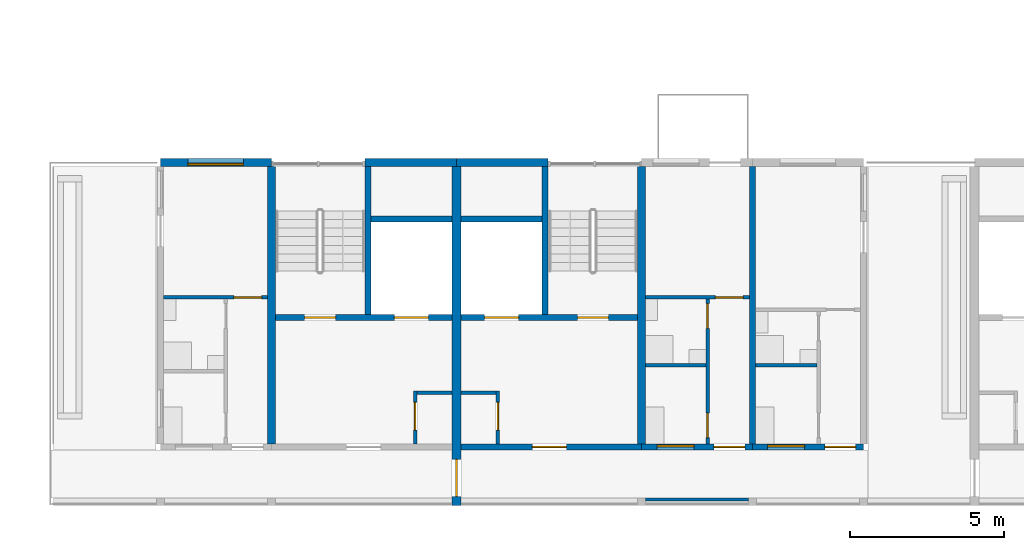
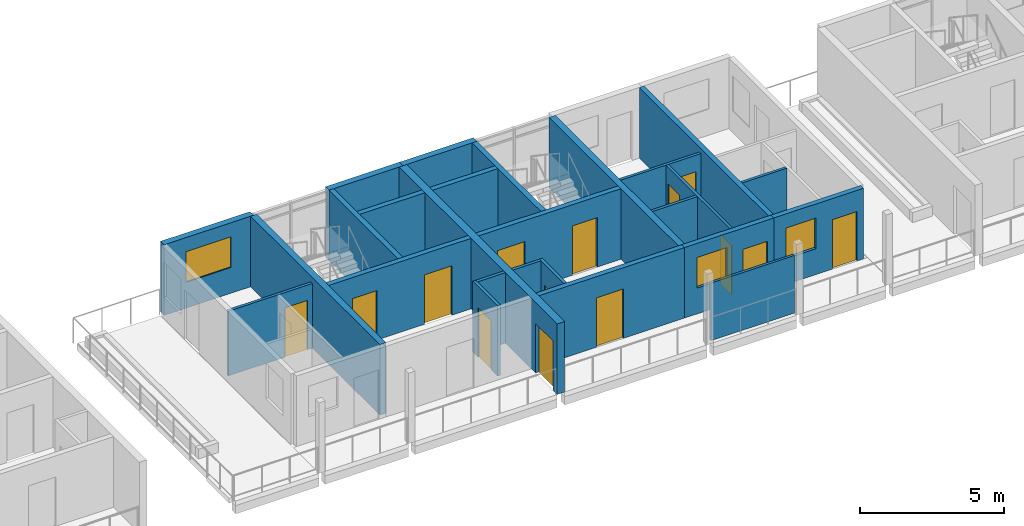
# One storey, part 34 of 55: 26 walls, 14 doors, 3 windows, 17 openings.
"""IFC4 building model written with IfcOpenShell, lengths in metres."""

from ifc_helpers import new_model, si_unit, direction, frame, frame_2d, origin, place, context, subcontext, project, spatial, rectangle, extrude, material, layer, layer_set, type_object, element, fill, save


model = new_model("IFC4")

# Units and contexts
model_context = context("Model", 3, precision=1e-05, world=origin(), true_north=direction((0.0, 1.0)))
body_context = subcontext(model_context, "Body", "Model", "MODEL_VIEW")
ifc_project = project(units=[si_unit("LENGTHUNIT", "METRE"), si_unit("AREAUNIT", "SQUARE_METRE"), si_unit("VOLUMEUNIT", "CUBIC_METRE"), si_unit("PLANEANGLEUNIT", "RADIAN"), si_unit("MASSUNIT", "GRAM", prefix="KILO")], contexts=[model_context])

# Site, building, storey
site_placement = place(None, origin())
site = spatial("IfcSite", under=ifc_project, at=site_placement, CompositionType="ELEMENT")
building_placement = place(site_placement, origin())
building = spatial("IfcBuilding", under=site, at=building_placement, Name="Ridgestep Commons", CompositionType="ELEMENT")
storey_placement = place(building_placement, frame((0.0, 0.0, 36.0)))
storey = spatial("IfcBuildingStorey", under=building, at=storey_placement, Name="L12", CompositionType="ELEMENT", Elevation=36.0)

# Walls
ifc_material_1 = material(Name="Concrete C30/37", Category="concrete")
ifc_layer_1 = layer(ifc_material_1, 0.25)
ifc_layer_set_1 = layer_set([ifc_layer_1], Name="Core cross wall 250")
wall_type_1 = type_object("IfcWallType", Name="Core cross wall 250", PredefinedType="SHEAR", material=ifc_layer_set_1)
for number, where, z_axis, x_axis, name in (
    (1, (208.0, 13.75, 0.0), (0.0, 0.0, 1.0), (0.0, 1.0, 0.0), "Cross wall D-12-2080"),
    (2, (220.0, 13.75, 0.0), (0.0, 0.0, 1.0), (0.0, 1.0, 0.0), "Cross wall D-12-2200"),
):
    element("IfcWall", number, at=place(storey_placement, frame(where, z_axis=z_axis, x_axis=x_axis)), inside=storey, type_object=wall_type_1, Name=name, PredefinedType="SHEAR", context=body_context, shape_type="SweptSolid", body=[
        extrude(rectangle(XDim=9.0, YDim=0.25, at=frame_2d((4.5, 0.0))), origin(), (0.0, 0.0, 1.0), 3.0),
    ])

# Wall, opening, door
ifc_material_2 = material(Name="Concrete C30/37", Category="concrete")
ifc_layer_2 = layer(ifc_material_2, 0.199951171875)
ifc_layer_set_2 = layer_set([ifc_layer_2], Name="Core south wall 200")
wall_type_2 = type_object("IfcWallType", Name="Core south wall 200", PredefinedType="SHEAR", material=ifc_layer_set_2)
wall_1_placement = place(storey_placement, frame((214.14990234375, 13.64990234375, 0.0), z_axis=(0.0, 0.0, 1.0), x_axis=(1.0, 0.0, 0.0)))
wall_1 = element("IfcWall", 3, at=wall_1_placement, inside=storey, type_object=wall_type_2, Name="Core south wall D5C L12", PredefinedType="SHEAR", context=body_context, shape_type="SweptSolid", body=[
    extrude(rectangle(XDim=5.85009765625, YDim=0.199951171875, at=frame_2d((2.925048828125, 0.0))), origin(), (0.0, 0.0, 1.0), 3.0),
])
opening_1_placement = place(wall_1_placement, frame((2.3125, 0.0, 0.0)))
opening_1 = element("IfcOpeningElement", 4, at=opening_1_placement, cuts=wall_1, Name="Opening D5C/12/1", PredefinedType="OPENING", context=body_context, shape_type="SweptSolid", body=[
    extrude(rectangle(XDim=1.10009765625, YDim=2.10009765625, at=frame_2d((0.550048828125, 1.050048828125))), frame((0.0, 0.10986328125, 0.0), z_axis=(0.0, -1.0, 0.0), x_axis=(1.0, 0.0, 0.0)), (0.0, 0.0, 1.0), 0.219970703125),
])
ifc_material_3 = material(Name="Steel fire door", Category="steel")
door_type_1 = type_object("IfcDoorType", Name="Lobby door 1100 x 2100 FD60", OperationType="NOTDEFINED", PredefinedType="DOOR", material=ifc_material_3)
door_1_placement = place(opening_1_placement, origin())
door_1 = element("IfcDoor", 5, at=door_1_placement, inside=storey, type_object=door_type_1, Name="Lobby door D5C/12/1", OperationType="SINGLE_SWING_LEFT", OverallHeight=2.10009765625, OverallWidth=1.10009765625, PredefinedType="DOOR", context=body_context, shape_type="SweptSolid", body=[
    extrude(rectangle(XDim=1.10009765625, YDim=2.10009765625, at=frame_2d((0.550048828125, 1.050048828125))), frame((0.0, 0.02490234375, 0.0), z_axis=(0.0, -1.0, 0.0), x_axis=(1.0, 0.0, 0.0)), (0.0, 0.0, 1.0), 0.050048828125),
])
fill(opening_1, door_1)

ifc_material_4 = material(Name="Concrete C30/37", Category="concrete")
ifc_layer_3 = layer(ifc_material_4, 0.1201171875)
ifc_layer_set_3 = layer_set([ifc_layer_3], Name="Core wall 120")
wall_type_3 = type_object("IfcWallType", Name="Core wall 120", PredefinedType="SHEAR", material=ifc_layer_set_3)
wall_2_placement = place(storey_placement, frame((212.659912109375, 13.75, 0.0), z_axis=(0.0, 0.0, 1.0), x_axis=(0.0, 1.0, 0.0)))
wall_2 = element("IfcWall", 6, at=wall_2_placement, inside=storey, type_object=wall_type_3, Name="Core riser w wall D4C L12", PredefinedType="SHEAR", context=body_context, shape_type="SweptSolid", body=[
    extrude(rectangle(XDim=1.719970703125, YDim=0.1201171875, at=frame_2d((0.85986328125, 0.0))), origin(), (0.0, 0.0, 1.0), 3.0),
])
opening_2_placement = place(wall_2_placement, frame((0.449951171875, 0.0, 0.0)))
opening_2 = element("IfcOpeningElement", 7, at=opening_2_placement, cuts=wall_2, Name="Opening D4C/12/4", PredefinedType="OPENING", context=body_context, shape_type="SweptSolid", body=[
    extrude(rectangle(XDim=0.89990234375, YDim=2.10009765625, at=frame_2d((0.449951171875, 1.050048828125))), frame((0.0, 0.070068359375, 0.0), z_axis=(0.0, -1.0, 0.0), x_axis=(1.0, 0.0, 0.0)), (0.0, 0.0, 1.0), 0.14013671875),
])
ifc_material_5 = material(Name="Steel fire door", Category="steel")
door_type_2 = type_object("IfcDoorType", Name="Riser door 900 x 2100 FD60", OperationType="NOTDEFINED", PredefinedType="DOOR", material=ifc_material_5)
door_2_placement = place(opening_2_placement, origin())
door_2 = element("IfcDoor", 8, at=door_2_placement, inside=storey, type_object=door_type_2, Name="Riser door D4C/12/4", OperationType="SINGLE_SWING_LEFT", OverallHeight=2.10009765625, OverallWidth=0.89990234375, PredefinedType="DOOR", context=body_context, shape_type="SweptSolid", body=[
    extrude(rectangle(XDim=0.89990234375, YDim=2.10009765625, at=frame_2d((0.449951171875, 1.050048828125))), frame((0.0, 0.02490234375, 0.0), z_axis=(0.0, -1.0, 0.0), x_axis=(1.0, 0.0, 0.0)), (0.0, 0.0, 1.0), 0.050048828125),
])
fill(opening_2, door_2)

# Wall
wall_3_placement = place(storey_placement, frame((212.719970703125, 15.409912109375, 0.0), z_axis=(0.0, 0.0, 1.0), x_axis=(1.0, 0.0, 0.0)))
element("IfcWall", 9, at=wall_3_placement, inside=storey, type_object=wall_type_3, Name="Core riser n wall D4C L12", PredefinedType="SHEAR", context=body_context, shape_type="SweptSolid", body=[
    extrude(rectangle(XDim=1.130126953125, YDim=0.1201171875, at=frame_2d((0.56494140625, 0.0))), origin(), (0.0, 0.0, 1.0), 3.0),
])

# Wall, opening, door
wall_4_placement = place(storey_placement, frame((215.340087890625, 13.75, 0.0), z_axis=(0.0, 0.0, 1.0), x_axis=(0.0, 1.0, 0.0)))
wall_4 = element("IfcWall", 10, at=wall_4_placement, inside=storey, type_object=wall_type_3, Name="Core riser w wall D5C L12", PredefinedType="SHEAR", context=body_context, shape_type="SweptSolid", body=[
    extrude(rectangle(XDim=1.719970703125, YDim=0.1201171875, at=frame_2d((0.85986328125, 0.0))), origin(), (0.0, 0.0, 1.0), 3.0),
])
opening_3_placement = place(wall_4_placement, frame((0.449951171875, 0.0, 0.0)))
opening_3 = element("IfcOpeningElement", 11, at=opening_3_placement, cuts=wall_4, Name="Opening D5C/12/4", PredefinedType="OPENING", context=body_context, shape_type="SweptSolid", body=[
    extrude(rectangle(XDim=0.89990234375, YDim=2.10009765625, at=frame_2d((0.449951171875, 1.050048828125))), frame((0.0, 0.070068359375, 0.0), z_axis=(0.0, -1.0, 0.0), x_axis=(1.0, 0.0, 0.0)), (0.0, 0.0, 1.0), 0.14013671875),
])
door_3_placement = place(opening_3_placement, origin())
door_3 = element("IfcDoor", 12, at=door_3_placement, inside=storey, type_object=door_type_2, Name="Riser door D5C/12/4", OperationType="SINGLE_SWING_RIGHT", OverallHeight=2.10009765625, OverallWidth=0.89990234375, PredefinedType="DOOR", context=body_context, shape_type="SweptSolid", body=[
    extrude(rectangle(XDim=0.89990234375, YDim=2.10009765625, at=frame_2d((0.449951171875, 1.050048828125))), frame((0.0, 0.02490234375, 0.0), z_axis=(0.0, -1.0, 0.0), x_axis=(1.0, 0.0, 0.0)), (0.0, 0.0, 1.0), 0.050048828125),
])
fill(opening_3, door_3)

# Wall
wall_5_placement = place(storey_placement, frame((214.14990234375, 15.409912109375, 0.0), z_axis=(0.0, 0.0, 1.0), x_axis=(1.0, 0.0, 0.0)))
element("IfcWall", 13, at=wall_5_placement, inside=storey, type_object=wall_type_3, Name="Core riser n wall D5C L12", PredefinedType="SHEAR", context=body_context, shape_type="SweptSolid", body=[
    extrude(rectangle(XDim=1.130126953125, YDim=0.1201171875, at=frame_2d((0.56494140625, 0.0))), origin(), (0.0, 0.0, 1.0), 3.0),
])

# Wall, openings, doors
ifc_material_6 = material(Name="Concrete C30/37", Category="concrete")
ifc_layer_4 = layer(ifc_material_6, 0.199951171875)
ifc_layer_set_4 = layer_set([ifc_layer_4], Name="Core wall 200")
wall_type_4 = type_object("IfcWallType", Name="Core wall 200", PredefinedType="SHEAR", material=ifc_layer_set_4)
wall_6_placement = place(storey_placement, frame((208.125, 17.85009765625, 0.0), z_axis=(0.0, 0.0, 1.0), x_axis=(1.0, 0.0, 0.0)))
wall_6 = element("IfcWall", 14, at=wall_6_placement, inside=storey, type_object=wall_type_4, Name="Core lobby wall D4C L12", PredefinedType="SHEAR", context=body_context, shape_type="SweptSolid", body=[
    extrude(rectangle(XDim=5.72509765625, YDim=0.199951171875, at=frame_2d((2.862548828125, 0.0))), origin(), (0.0, 0.0, 1.0), 3.0),
])
opening_4_placement = place(wall_6_placement, frame((0.949951171875, 0.0, 0.0)))
opening_4 = element("IfcOpeningElement", 15, at=opening_4_placement, cuts=wall_6, Name="Opening D4C/12/2", PredefinedType="OPENING", context=body_context, shape_type="SweptSolid", body=[
    extrude(rectangle(XDim=1.0, YDim=2.10009765625, at=frame_2d((0.5, 1.050048828125))), frame((0.0, 0.10986328125, 0.0), z_axis=(0.0, -1.0, 0.0), x_axis=(1.0, 0.0, 0.0)), (0.0, 0.0, 1.0), 0.219970703125),
])
opening_5_placement = place(wall_6_placement, frame((3.862548828125, 0.0, 0.0)))
opening_5 = element("IfcOpeningElement", 16, at=opening_5_placement, cuts=wall_6, Name="Opening D4C/12/3", PredefinedType="OPENING", context=body_context, shape_type="SweptSolid", body=[
    extrude(rectangle(XDim=1.10009765625, YDim=2.10009765625, at=frame_2d((0.550048828125, 1.050048828125))), frame((0.0, 0.10986328125, 0.0), z_axis=(0.0, -1.0, 0.0), x_axis=(1.0, 0.0, 0.0)), (0.0, 0.0, 1.0), 0.219970703125),
])
ifc_material_7 = material(Name="Stainless steel", Category="steel")
door_type_3 = type_object("IfcDoorType", Name="Lift landing door 1100 x 2100 FD60", OperationType="DOUBLE_DOOR_SLIDING", PredefinedType="DOOR", material=ifc_material_7)
door_4_placement = place(opening_5_placement, origin())
door_4 = element("IfcDoor", 17, at=door_4_placement, inside=storey, type_object=door_type_3, Name="Landing door LD D4C L12", OperationType="DOUBLE_DOOR_SLIDING", OverallHeight=2.10009765625, OverallWidth=1.10009765625, PredefinedType="DOOR", context=body_context, shape_type="SweptSolid", body=[
    extrude(rectangle(XDim=1.10009765625, YDim=2.10009765625, at=frame_2d((0.550048828125, 1.050048828125))), frame((0.0, 0.02490234375, 0.0), z_axis=(0.0, -1.0, 0.0), x_axis=(1.0, 0.0, 0.0)), (0.0, 0.0, 1.0), 0.050048828125),
])
fill(opening_5, door_4)
ifc_material_8 = material(Name="Steel fire door", Category="steel")
door_type_4 = type_object("IfcDoorType", Name="Stair door 1000 x 2100 FD60", OperationType="NOTDEFINED", PredefinedType="DOOR", material=ifc_material_8)
door_5_placement = place(opening_4_placement, origin())
door_5 = element("IfcDoor", 18, at=door_5_placement, inside=storey, type_object=door_type_4, Name="Stair door D4C/12/2", OperationType="SINGLE_SWING_RIGHT", OverallHeight=2.10009765625, OverallWidth=1.0, PredefinedType="DOOR", context=body_context, shape_type="SweptSolid", body=[
    extrude(rectangle(XDim=1.0, YDim=2.10009765625, at=frame_2d((0.5, 1.050048828125))), frame((0.0, 0.02490234375, 0.0), z_axis=(0.0, -1.0, 0.0), x_axis=(1.0, 0.0, 0.0)), (0.0, 0.0, 1.0), 0.050048828125),
])
fill(opening_4, door_5)

# Walls
wall_7_placement = place(storey_placement, frame((211.125, 17.949951171875, 0.0), z_axis=(0.0, 0.0, 1.0), x_axis=(0.0, 1.0, 0.0)))
element("IfcWall", 19, at=wall_7_placement, inside=storey, type_object=wall_type_4, Name="Core stair wall D4C L12", PredefinedType="SHEAR", context=body_context, shape_type="SweptSolid", body=[
    extrude(rectangle(XDim=4.800048828125, YDim=0.199951171875, at=frame_2d((2.39990234375, 0.0))), origin(), (0.0, 0.0, 1.0), 3.0),
])
wall_8_placement = place(storey_placement, frame((211.22509765625, 21.050048828125, 0.0), z_axis=(0.0, 0.0, 1.0), x_axis=(1.0, 0.0, 0.0)))
element("IfcWall", 20, at=wall_8_placement, inside=storey, type_object=wall_type_4, Name="Core duct wall D4C L12", PredefinedType="SHEAR", context=body_context, shape_type="SweptSolid", body=[
    extrude(rectangle(XDim=2.625, YDim=0.199951171875, at=frame_2d((1.3125, 0.0))), origin(), (0.0, 0.0, 1.0), 3.0),
])

# Wall, openings, doors
wall_9_placement = place(storey_placement, frame((214.14990234375, 17.85009765625, 0.0), z_axis=(0.0, 0.0, 1.0), x_axis=(1.0, 0.0, 0.0)))
wall_9 = element("IfcWall", 21, at=wall_9_placement, inside=storey, type_object=wall_type_4, Name="Core lobby wall D5C L12", PredefinedType="SHEAR", context=body_context, shape_type="SweptSolid", body=[
    extrude(rectangle(XDim=5.72509765625, YDim=0.199951171875, at=frame_2d((2.862548828125, 0.0))), origin(), (0.0, 0.0, 1.0), 3.0),
])
opening_6_placement = place(wall_9_placement, frame((3.77490234375, 0.0, 0.0)))
opening_6 = element("IfcOpeningElement", 22, at=opening_6_placement, cuts=wall_9, Name="Opening D5C/12/2", PredefinedType="OPENING", context=body_context, shape_type="SweptSolid", body=[
    extrude(rectangle(XDim=1.0, YDim=2.10009765625, at=frame_2d((0.5, 1.050048828125))), frame((0.0, 0.10986328125, 0.0), z_axis=(0.0, -1.0, 0.0), x_axis=(1.0, 0.0, 0.0)), (0.0, 0.0, 1.0), 0.219970703125),
])
opening_7_placement = place(wall_9_placement, frame((0.762451171875, 0.0, 0.0)))
opening_7 = element("IfcOpeningElement", 23, at=opening_7_placement, cuts=wall_9, Name="Opening D5C/12/3", PredefinedType="OPENING", context=body_context, shape_type="SweptSolid", body=[
    extrude(rectangle(XDim=1.10009765625, YDim=2.10009765625, at=frame_2d((0.550048828125, 1.050048828125))), frame((0.0, 0.10986328125, 0.0), z_axis=(0.0, -1.0, 0.0), x_axis=(1.0, 0.0, 0.0)), (0.0, 0.0, 1.0), 0.219970703125),
])
door_6_placement = place(opening_7_placement, origin())
door_6 = element("IfcDoor", 24, at=door_6_placement, inside=storey, type_object=door_type_3, Name="Landing door LD D5C L12", OperationType="DOUBLE_DOOR_SLIDING", OverallHeight=2.10009765625, OverallWidth=1.10009765625, PredefinedType="DOOR", context=body_context, shape_type="SweptSolid", body=[
    extrude(rectangle(XDim=1.10009765625, YDim=2.10009765625, at=frame_2d((0.550048828125, 1.050048828125))), frame((0.0, 0.02490234375, 0.0), z_axis=(0.0, -1.0, 0.0), x_axis=(1.0, 0.0, 0.0)), (0.0, 0.0, 1.0), 0.050048828125),
])
fill(opening_7, door_6)
door_7_placement = place(opening_6_placement, origin())
door_7 = element("IfcDoor", 25, at=door_7_placement, inside=storey, type_object=door_type_4, Name="Stair door D5C/12/2", OperationType="SINGLE_SWING_RIGHT", OverallHeight=2.10009765625, OverallWidth=1.0, PredefinedType="DOOR", context=body_context, shape_type="SweptSolid", body=[
    extrude(rectangle(XDim=1.0, YDim=2.10009765625, at=frame_2d((0.5, 1.050048828125))), frame((0.0, 0.02490234375, 0.0), z_axis=(0.0, -1.0, 0.0), x_axis=(1.0, 0.0, 0.0)), (0.0, 0.0, 1.0), 0.050048828125),
])
fill(opening_6, door_7)

# Walls
wall_10_placement = place(storey_placement, frame((216.875, 17.949951171875, 0.0), z_axis=(0.0, 0.0, 1.0), x_axis=(0.0, 1.0, 0.0)))
element("IfcWall", 26, at=wall_10_placement, inside=storey, type_object=wall_type_4, Name="Core stair wall D5C L12", PredefinedType="SHEAR", context=body_context, shape_type="SweptSolid", body=[
    extrude(rectangle(XDim=4.800048828125, YDim=0.199951171875, at=frame_2d((2.39990234375, 0.0))), origin(), (0.0, 0.0, 1.0), 3.0),
])
wall_11_placement = place(storey_placement, frame((214.14990234375, 21.050048828125, 0.0), z_axis=(0.0, 0.0, 1.0), x_axis=(1.0, 0.0, 0.0)))
element("IfcWall", 27, at=wall_11_placement, inside=storey, type_object=wall_type_4, Name="Core duct wall D5C L12", PredefinedType="SHEAR", context=body_context, shape_type="SweptSolid", body=[
    extrude(rectangle(XDim=2.625, YDim=0.199951171875, at=frame_2d((1.3125, 0.0))), origin(), (0.0, 0.0, 1.0), 3.0),
])
ifc_material_9 = material(Name="Precast concrete C40/50", Category="concrete")
ifc_layer_5 = layer(ifc_material_9, 0.199951171875)
ifc_layer_set_5 = layer_set([ifc_layer_5], Name="Cross wall 200")
wall_type_5 = type_object("IfcWallType", Name="Cross wall 200", PredefinedType="SHEAR", material=ifc_layer_set_5)
wall_12_placement = place(storey_placement, frame((223.60009765625, 13.75, 0.0), z_axis=(0.0, 0.0, 1.0), x_axis=(0.0, 1.0, 0.0)))
element("IfcWall", 28, at=wall_12_placement, inside=storey, type_object=wall_type_5, Name="Cross wall D-12-2236", PredefinedType="SHEAR", context=body_context, shape_type="SweptSolid", body=[
    extrude(rectangle(XDim=9.0, YDim=0.199951171875, at=frame_2d((4.5, 0.0))), origin(), (0.0, 0.0, 1.0), 3.0),
])

# Wall, opening, door
ifc_material_10 = material(Name="Precast concrete C40/50", Category="concrete")
ifc_layer_6 = layer(ifc_material_10, 0.300048828125)
ifc_layer_set_6 = layer_set([ifc_layer_6], Name="Division wall 300")
wall_type_6 = type_object("IfcWallType", Name="Division wall 300", PredefinedType="SHEAR", material=ifc_layer_set_6)
wall_13_placement = place(storey_placement, frame((214.0, 11.75, 0.0), z_axis=(0.0, 0.0, 1.0), x_axis=(0.0, 1.0, 0.0)))
wall_13 = element("IfcWall", 29, at=wall_13_placement, inside=storey, type_object=wall_type_6, Name="Cross wall D-12-2140", PredefinedType="SHEAR", context=body_context, shape_type="SweptSolid", body=[
    extrude(rectangle(XDim=11.0, YDim=0.300048828125, at=frame_2d((5.5, 0.0))), origin(), (0.0, 0.0, 1.0), 3.0),
])
opening_8_placement = place(wall_13_placement, frame((0.300048828125, 0.0, 0.0)))
opening_8 = element("IfcOpeningElement", 30, at=opening_8_placement, cuts=wall_13, Name="Opening D/12/G2140", PredefinedType="OPENING", context=body_context, shape_type="SweptSolid", body=[
    extrude(rectangle(XDim=1.199951171875, YDim=2.10009765625, at=frame_2d((0.60009765625, 1.050048828125))), frame((0.0, 0.159912109375, 0.0), z_axis=(0.0, -1.0, 0.0), x_axis=(1.0, 0.0, 0.0)), (0.0, 0.0, 1.0), 0.320068359375),
])
ifc_material_11 = material(Name="Steel fire door", Category="steel")
door_type_5 = type_object("IfcDoorType", Name="Division fire door 1200 x 2100 EI 240", OperationType="DOUBLE_DOOR_SINGLE_SWING", PredefinedType="DOOR", material=ifc_material_11)
door_8_placement = place(opening_8_placement, origin())
door_8 = element("IfcDoor", 31, at=door_8_placement, inside=storey, type_object=door_type_5, Name="Division fire door D/12/G2140", OperationType="DOUBLE_DOOR_SINGLE_SWING", OverallHeight=2.10009765625, OverallWidth=1.199951171875, PredefinedType="DOOR", context=body_context, shape_type="SweptSolid", body=[
    extrude(rectangle(XDim=1.199951171875, YDim=2.10009765625, at=frame_2d((0.60009765625, 1.050048828125))), frame((0.0, 0.02490234375, 0.0), z_axis=(0.0, -1.0, 0.0), x_axis=(1.0, 0.0, 0.0)), (0.0, 0.0, 1.0), 0.050048828125),
])
fill(opening_8, door_8)

# Wall, opening, window
ifc_material_12 = material(Name="Precast concrete C40/50", Category="concrete")
ifc_layer_7 = layer(ifc_material_12, 0.25)
ifc_layer_set_7 = layer_set([ifc_layer_7], Name="North facade panel 250")
wall_type_7 = type_object("IfcWallType", Name="North facade panel 250", PredefinedType="SOLIDWALL", material=ifc_layer_set_7)
wall_14_placement = place(storey_placement, frame((204.39990234375, 22.875, 0.0), z_axis=(0.0, 0.0, 1.0), x_axis=(1.0, 0.0, 0.0)))
wall_14 = element("IfcWall", 32, at=wall_14_placement, inside=storey, type_object=wall_type_7, Name="North panel D4T3 L12", PredefinedType="SOLIDWALL", context=body_context, shape_type="SweptSolid", body=[
    extrude(rectangle(XDim=3.60009765625, YDim=0.25, at=frame_2d((1.800048828125, 0.0))), origin(), (0.0, 0.0, 1.0), 3.0),
])
opening_9_placement = place(wall_14_placement, frame((0.887451171875, 0.0, 1.10009765625)))
opening_9 = element("IfcOpeningElement", 33, at=opening_9_placement, cuts=wall_14, Name="Opening W18", PredefinedType="OPENING", context=body_context, shape_type="SweptSolid", body=[
    extrude(rectangle(XDim=1.800048828125, YDim=1.300048828125, at=frame_2d((0.89990234375, 0.64990234375))), frame((0.0, 0.135009765625, 0.0), z_axis=(0.0, -1.0, 0.0), x_axis=(1.0, 0.0, 0.0)), (0.0, 0.0, 1.0), 0.27001953125),
])
ifc_material_13 = material(Name="Aluminium 6063-T6 and glass", Category="aluminium")
window_type_1 = type_object("IfcWindowType", Name="Flat window 1800 x 1300", PartitioningType="DOUBLE_PANEL_VERTICAL", PredefinedType="WINDOW", material=ifc_material_13)
window_1_placement = place(opening_9_placement, origin())
window_1 = element("IfcWindow", 34, at=window_1_placement, inside=storey, type_object=window_type_1, Name="Window D4-12a 2", OverallHeight=1.300048828125, OverallWidth=1.800048828125, PartitioningType="SINGLE_PANEL", PredefinedType="WINDOW", context=body_context, shape_type="SweptSolid", body=[
    extrude(rectangle(XDim=1.800048828125, YDim=1.300048828125, at=frame_2d((0.89990234375, 0.64990234375))), frame((0.0, -0.02490234375, 0.0), z_axis=(0.0, -1.0, 0.0), x_axis=(1.0, 0.0, 0.0)), (0.0, 0.0, 1.0), 0.06005859375),
])
fill(opening_9, window_1)

# Walls
for number, where, z_axis, x_axis, name in (
    (35, (211.02490234375, 22.875, 0.0), (0.0, 0.0, 1.0), (1.0, 0.0, 0.0), "North panel D4C L12"),
    (36, (214.0, 22.875, 0.0), (0.0, 0.0, 1.0), (1.0, 0.0, 0.0), "North panel D5C L12"),
):
    element("IfcWall", number, at=place(storey_placement, frame(where, z_axis=z_axis, x_axis=x_axis)), inside=storey, type_object=wall_type_7, Name=name, PredefinedType="SOLIDWALL", context=body_context, shape_type="SweptSolid", body=[
        extrude(rectangle(XDim=2.97509765625, YDim=0.25, at=frame_2d((1.487548828125, 0.0))), origin(), (0.0, 0.0, 1.0), 3.0),
    ])

# Wall, opening, door
ifc_material_14 = material(Name="Common brick 110 mm", Category="masonry")
ifc_layer_8 = layer(ifc_material_14, 0.110107421875)
ifc_layer_set_8 = layer_set([ifc_layer_8], Name="Partition 110")
wall_type_8 = type_object("IfcWallType", Name="Partition 110", PredefinedType="PARTITIONING", material=ifc_layer_set_8)
wall_15_placement = place(storey_placement, frame((204.5, 18.5048828125, 0.0), z_axis=(0.0, 0.0, 1.0), x_axis=(1.0, 0.0, 0.0)))
wall_15 = element("IfcWall", 37, at=wall_15_placement, inside=storey, type_object=wall_type_8, Name="Partition D4-12a", PredefinedType="PARTITIONING", context=body_context, shape_type="SweptSolid", body=[
    extrude(rectangle(XDim=3.375, YDim=0.110107421875, at=frame_2d((1.6875, 0.0))), origin(), (0.0, 0.0, 1.0), 2.75),
])
opening_10_placement = place(wall_15_placement, frame((2.27490234375, 0.0, 0.0)))
opening_10 = element("IfcOpeningElement", 38, at=opening_10_placement, cuts=wall_15, Name="Opening D4-12a/4", PredefinedType="OPENING", context=body_context, shape_type="SweptSolid", body=[
    extrude(rectangle(XDim=0.89990234375, YDim=2.10009765625, at=frame_2d((0.449951171875, 1.050048828125))), frame((0.0, 0.06494140625, 0.0), z_axis=(0.0, -1.0, 0.0), x_axis=(1.0, 0.0, 0.0)), (0.0, 0.0, 1.0), 0.130126953125),
])
ifc_material_15 = material(Name="Timber door leaf", Category="wood")
door_type_6 = type_object("IfcDoorType", Name="Internal door 900 x 2100", OperationType="NOTDEFINED", PredefinedType="DOOR", material=ifc_material_15)
door_9_placement = place(opening_10_placement, origin())
door_9 = element("IfcDoor", 39, at=door_9_placement, inside=storey, type_object=door_type_6, Name="Internal door D4-12a/4", OperationType="SINGLE_SWING_LEFT", OverallHeight=2.10009765625, OverallWidth=0.89990234375, PredefinedType="DOOR", context=body_context, shape_type="SweptSolid", body=[
    extrude(rectangle(XDim=0.89990234375, YDim=2.10009765625, at=frame_2d((0.449951171875, 1.050048828125))), frame((0.0, 0.02490234375, 0.0), z_axis=(0.0, -1.0, 0.0), x_axis=(1.0, 0.0, 0.0)), (0.0, 0.0, 1.0), 0.050048828125),
])
fill(opening_10, door_9)

# Walls
wall_16_placement = place(storey_placement, frame((223.699951171875, 16.304931640625, 0.0), z_axis=(0.0, 0.0, 1.0), x_axis=(1.0, 0.0, 0.0)))
element("IfcWall", 40, at=wall_16_placement, inside=storey, type_object=wall_type_8, Name="Partition D5-12a", PredefinedType="PARTITIONING", context=body_context, shape_type="SweptSolid", body=[
    extrude(rectangle(XDim=1.989990234375, YDim=0.110107421875, at=frame_2d((0.9951171875, 0.0))), origin(), (0.0, 0.0, 1.0), 2.75),
])
wall_17_placement = place(storey_placement, frame((220.125, 16.304931640625, 0.0), z_axis=(0.0, 0.0, 1.0), x_axis=(1.0, 0.0, 0.0)))
element("IfcWall", 41, at=wall_17_placement, inside=storey, type_object=wall_type_8, Name="Partition D5-12b", PredefinedType="PARTITIONING", context=body_context, shape_type="SweptSolid", body=[
    extrude(rectangle(XDim=1.965087890625, YDim=0.110107421875, at=frame_2d((0.982421875, 0.0))), origin(), (0.0, 0.0, 1.0), 2.800048828125),
])

# Wall, openings, doors
wall_18_placement = place(storey_placement, frame((222.14501953125, 13.75, 0.0), z_axis=(0.0, 0.0, 1.0), x_axis=(0.0, 1.0, 0.0)))
wall_18 = element("IfcWall", 42, at=wall_18_placement, inside=storey, type_object=wall_type_8, Name="Partition D5-12b", PredefinedType="PARTITIONING", context=body_context, shape_type="SweptSolid", body=[
    extrude(rectangle(XDim=4.699951171875, YDim=0.110107421875, at=frame_2d((2.35009765625, 0.0))), origin(), (0.0, 0.0, 1.0), 2.800048828125),
])
opening_11_placement = place(wall_18_placement, frame((0.199951171875, 0.0, 0.0)))
opening_11 = element("IfcOpeningElement", 43, at=opening_11_placement, cuts=wall_18, Name="Opening D5-12b/2", PredefinedType="OPENING", context=body_context, shape_type="SweptSolid", body=[
    extrude(rectangle(XDim=0.800048828125, YDim=2.10009765625, at=frame_2d((0.39990234375, 1.050048828125))), frame((0.0, 0.06494140625, 0.0), z_axis=(0.0, -1.0, 0.0), x_axis=(1.0, 0.0, 0.0)), (0.0, 0.0, 1.0), 0.130126953125),
])
opening_12_placement = place(wall_18_placement, frame((3.75, 0.0, 0.0)))
opening_12 = element("IfcOpeningElement", 44, at=opening_12_placement, cuts=wall_18, Name="Opening D5-12b/3", PredefinedType="OPENING", context=body_context, shape_type="SweptSolid", body=[
    extrude(rectangle(XDim=0.800048828125, YDim=2.10009765625, at=frame_2d((0.39990234375, 1.050048828125))), frame((0.0, 0.06494140625, 0.0), z_axis=(0.0, -1.0, 0.0), x_axis=(1.0, 0.0, 0.0)), (0.0, 0.0, 1.0), 0.130126953125),
])
ifc_material_16 = material(Name="Timber door leaf", Category="wood")
door_type_7 = type_object("IfcDoorType", Name="Internal door 800 x 2100", OperationType="NOTDEFINED", PredefinedType="DOOR", material=ifc_material_16)
door_10_placement = place(opening_11_placement, origin())
door_10 = element("IfcDoor", 45, at=door_10_placement, inside=storey, type_object=door_type_7, Name="Internal door D5-12b/2", OperationType="SINGLE_SWING_LEFT", OverallHeight=2.10009765625, OverallWidth=0.800048828125, PredefinedType="DOOR", context=body_context, shape_type="SweptSolid", body=[
    extrude(rectangle(XDim=0.800048828125, YDim=2.10009765625, at=frame_2d((0.39990234375, 1.050048828125))), frame((0.0, 0.02490234375, 0.0), z_axis=(0.0, -1.0, 0.0), x_axis=(1.0, 0.0, 0.0)), (0.0, 0.0, 1.0), 0.050048828125),
])
fill(opening_11, door_10)
door_11_placement = place(opening_12_placement, origin())
door_11 = element("IfcDoor", 46, at=door_11_placement, inside=storey, type_object=door_type_7, Name="Internal door D5-12b/3", OperationType="SINGLE_SWING_RIGHT", OverallHeight=2.10009765625, OverallWidth=0.800048828125, PredefinedType="DOOR", context=body_context, shape_type="SweptSolid", body=[
    extrude(rectangle(XDim=0.800048828125, YDim=2.10009765625, at=frame_2d((0.39990234375, 1.050048828125))), frame((0.0, 0.02490234375, 0.0), z_axis=(0.0, -1.0, 0.0), x_axis=(1.0, 0.0, 0.0)), (0.0, 0.0, 1.0), 0.050048828125),
])
fill(opening_12, door_11)

# Wall, opening, door
wall_19_placement = place(storey_placement, frame((220.125, 18.5048828125, 0.0), z_axis=(0.0, 0.0, 1.0), x_axis=(1.0, 0.0, 0.0)))
wall_19 = element("IfcWall", 47, at=wall_19_placement, inside=storey, type_object=wall_type_8, Name="Partition D5-12b", PredefinedType="PARTITIONING", context=body_context, shape_type="SweptSolid", body=[
    extrude(rectangle(XDim=3.375, YDim=0.110107421875, at=frame_2d((1.6875, 0.0))), origin(), (0.0, 0.0, 1.0), 2.800048828125),
])
opening_13_placement = place(wall_19_placement, frame((2.27490234375, 0.0, 0.0)))
opening_13 = element("IfcOpeningElement", 48, at=opening_13_placement, cuts=wall_19, Name="Opening D5-12b/4", PredefinedType="OPENING", context=body_context, shape_type="SweptSolid", body=[
    extrude(rectangle(XDim=0.89990234375, YDim=2.10009765625, at=frame_2d((0.449951171875, 1.050048828125))), frame((0.0, 0.06494140625, 0.0), z_axis=(0.0, -1.0, 0.0), x_axis=(1.0, 0.0, 0.0)), (0.0, 0.0, 1.0), 0.130126953125),
])
door_12_placement = place(opening_13_placement, origin())
door_12 = element("IfcDoor", 49, at=door_12_placement, inside=storey, type_object=door_type_6, Name="Internal door D5-12b/4", OperationType="SINGLE_SWING_LEFT", OverallHeight=2.10009765625, OverallWidth=0.89990234375, PredefinedType="DOOR", context=body_context, shape_type="SweptSolid", body=[
    extrude(rectangle(XDim=0.89990234375, YDim=2.10009765625, at=frame_2d((0.449951171875, 1.050048828125))), frame((0.0, 0.02490234375, 0.0), z_axis=(0.0, -1.0, 0.0), x_axis=(1.0, 0.0, 0.0)), (0.0, 0.0, 1.0), 0.050048828125),
])
fill(opening_13, door_12)

# Wall
ifc_material_17 = material(Name="Precast concrete C30/37", Category="concrete")
ifc_layer_9 = layer(ifc_material_17, 0.10009765625)
ifc_layer_set_9 = layer_set([ifc_layer_9], Name="Perforated gallery screen 3350 x 2450 x 100")
wall_type_9 = type_object("IfcWallType", Name="Perforated gallery screen 3350 x 2450 x 100", PredefinedType="SOLIDWALL", material=ifc_layer_set_9)
wall_20_placement = place(storey_placement, frame((220.125, 11.949951171875, 0.0), z_axis=(0.0, 0.0, 1.0), x_axis=(1.0, 0.0, 0.0)))
element("IfcWall", 50, at=wall_20_placement, inside=storey, type_object=wall_type_9, Name="Gallery screen D5T3 12", PredefinedType="SOLIDWALL", context=body_context, shape_type="SweptSolid", body=[
    extrude(rectangle(XDim=3.35009765625, YDim=0.10009765625, at=frame_2d((1.675048828125, 0.0))), origin(), (0.0, 0.0, 1.0), 2.449951171875),
])

# Wall, openings, door, window
ifc_material_18 = material(Name="Precast concrete C40/50", Category="concrete")
ifc_layer_10 = layer(ifc_material_18, 0.199951171875)
ifc_layer_set_10 = layer_set([ifc_layer_10], Name="South facade panel 200")
wall_type_10 = type_object("IfcWallType", Name="South facade panel 200", PredefinedType="SOLIDWALL", material=ifc_layer_set_10)
wall_21_placement = place(storey_placement, frame((220.0, 13.64990234375, 0.0), z_axis=(0.0, 0.0, 1.0), x_axis=(1.0, 0.0, 0.0)))
wall_21 = element("IfcWall", 51, at=wall_21_placement, inside=storey, type_object=wall_type_10, Name="South panel D5T3 L12", PredefinedType="SOLIDWALL", context=body_context, shape_type="SweptSolid", body=[
    extrude(rectangle(XDim=3.60009765625, YDim=0.199951171875, at=frame_2d((1.800048828125, 0.0))), origin(), (0.0, 0.0, 1.0), 3.0),
])
opening_14_placement = place(wall_21_placement, frame((0.507568359375, 0.0, 1.10009765625)))
opening_14 = element("IfcOpeningElement", 52, at=opening_14_placement, cuts=wall_21, Name="Opening W08", PredefinedType="OPENING", context=body_context, shape_type="SweptSolid", body=[
    extrude(rectangle(XDim=1.199951171875, YDim=1.300048828125, at=frame_2d((0.60009765625, 0.64990234375))), frame((0.0, 0.10986328125, 0.0), z_axis=(0.0, -1.0, 0.0), x_axis=(1.0, 0.0, 0.0)), (0.0, 0.0, 1.0), 0.219970703125),
])
opening_15_placement = place(wall_21_placement, frame((2.35009765625, 0.0, 0.0)))
opening_15 = element("IfcOpeningElement", 53, at=opening_15_placement, cuts=wall_21, Name="Opening D5-12b/1", PredefinedType="OPENING", context=body_context, shape_type="SweptSolid", body=[
    extrude(rectangle(XDim=1.0, YDim=2.10009765625, at=frame_2d((0.5, 1.050048828125))), frame((0.0, 0.10986328125, 0.0), z_axis=(0.0, -1.0, 0.0), x_axis=(1.0, 0.0, 0.0)), (0.0, 0.0, 1.0), 0.219970703125),
])
ifc_material_19 = material(Name="Timber door leaf", Category="wood")
door_type_8 = type_object("IfcDoorType", Name="Flat entrance door 1000 x 2100 FD30S", OperationType="NOTDEFINED", PredefinedType="DOOR", material=ifc_material_19)
door_13_placement = place(opening_15_placement, origin())
door_13 = element("IfcDoor", 54, at=door_13_placement, inside=storey, type_object=door_type_8, Name="Flat entrance door D5-12b/1", OperationType="SINGLE_SWING_RIGHT", OverallHeight=2.10009765625, OverallWidth=1.0, PredefinedType="DOOR", context=body_context, shape_type="SweptSolid", body=[
    extrude(rectangle(XDim=1.0, YDim=2.10009765625, at=frame_2d((0.5, 1.050048828125))), frame((0.0, 0.02490234375, 0.0), z_axis=(0.0, -1.0, 0.0), x_axis=(1.0, 0.0, 0.0)), (0.0, 0.0, 1.0), 0.050048828125),
])
fill(opening_15, door_13)
ifc_material_20 = material(Name="Aluminium 6063-T6 and glass", Category="aluminium")
window_type_2 = type_object("IfcWindowType", Name="Flat window 1200 x 1300", PartitioningType="SINGLE_PANEL", PredefinedType="WINDOW", material=ifc_material_20)
window_2_placement = place(opening_14_placement, origin())
window_2 = element("IfcWindow", 55, at=window_2_placement, inside=storey, type_object=window_type_2, Name="Window D5-12b 1", OverallHeight=1.300048828125, OverallWidth=1.199951171875, PartitioningType="SINGLE_PANEL", PredefinedType="WINDOW", context=body_context, shape_type="SweptSolid", body=[
    extrude(rectangle(XDim=1.199951171875, YDim=1.300048828125, at=frame_2d((0.60009765625, 0.64990234375))), frame((0.0, 0.06005859375, 0.0), z_axis=(0.0, -1.0, 0.0), x_axis=(1.0, 0.0, 0.0)), (0.0, 0.0, 1.0), 0.06005859375),
])
fill(opening_14, window_2)

wall_22_placement = place(storey_placement, frame((223.60009765625, 13.64990234375, 0.0), z_axis=(0.0, 0.0, 1.0), x_axis=(1.0, 0.0, 0.0)))
wall_22 = element("IfcWall", 56, at=wall_22_placement, inside=storey, type_object=wall_type_10, Name="South panel D5T2 L12", PredefinedType="SOLIDWALL", context=body_context, shape_type="SweptSolid", body=[
    extrude(rectangle(XDim=3.599853515625, YDim=0.199951171875, at=frame_2d((1.7998046875, 0.0))), origin(), (0.0, 0.0, 1.0), 3.0),
])
opening_16_placement = place(wall_22_placement, frame((0.4951171875, 0.0, 1.10009765625)))
opening_16 = element("IfcOpeningElement", 57, at=opening_16_placement, cuts=wall_22, Name="Opening W08", PredefinedType="OPENING", context=body_context, shape_type="SweptSolid", body=[
    extrude(rectangle(XDim=1.199951171875, YDim=1.300048828125, at=frame_2d((0.60009765625, 0.64990234375))), frame((0.0, 0.10986328125, 0.0), z_axis=(0.0, -1.0, 0.0), x_axis=(1.0, 0.0, 0.0)), (0.0, 0.0, 1.0), 0.219970703125),
])
opening_17_placement = place(wall_22_placement, frame((2.35009765625, 0.0, 0.0)))
opening_17 = element("IfcOpeningElement", 58, at=opening_17_placement, cuts=wall_22, Name="Opening D5-12a/1", PredefinedType="OPENING", context=body_context, shape_type="SweptSolid", body=[
    extrude(rectangle(XDim=1.0, YDim=2.10009765625, at=frame_2d((0.5, 1.050048828125))), frame((0.0, 0.10986328125, 0.0), z_axis=(0.0, -1.0, 0.0), x_axis=(1.0, 0.0, 0.0)), (0.0, 0.0, 1.0), 0.219970703125),
])
door_14_placement = place(opening_17_placement, origin())
door_14 = element("IfcDoor", 59, at=door_14_placement, inside=storey, type_object=door_type_8, Name="Flat entrance door D5-12a/1", OperationType="SINGLE_SWING_RIGHT", OverallHeight=2.10009765625, OverallWidth=1.0, PredefinedType="DOOR", context=body_context, shape_type="SweptSolid", body=[
    extrude(rectangle(XDim=1.0, YDim=2.10009765625, at=frame_2d((0.5, 1.050048828125))), frame((0.0, 0.02490234375, 0.0), z_axis=(0.0, -1.0, 0.0), x_axis=(1.0, 0.0, 0.0)), (0.0, 0.0, 1.0), 0.050048828125),
])
fill(opening_17, door_14)
window_3_placement = place(opening_16_placement, origin())
window_3 = element("IfcWindow", 60, at=window_3_placement, inside=storey, type_object=window_type_2, Name="Window D5-12a 1", OverallHeight=1.300048828125, OverallWidth=1.199951171875, PartitioningType="SINGLE_PANEL", PredefinedType="WINDOW", context=body_context, shape_type="SweptSolid", body=[
    extrude(rectangle(XDim=1.199951171875, YDim=1.300048828125, at=frame_2d((0.60009765625, 0.64990234375))), frame((0.0, 0.06005859375, 0.0), z_axis=(0.0, -1.0, 0.0), x_axis=(1.0, 0.0, 0.0)), (0.0, 0.0, 1.0), 0.06005859375),
])
fill(opening_16, window_3)

save(model, "model.ifc")
